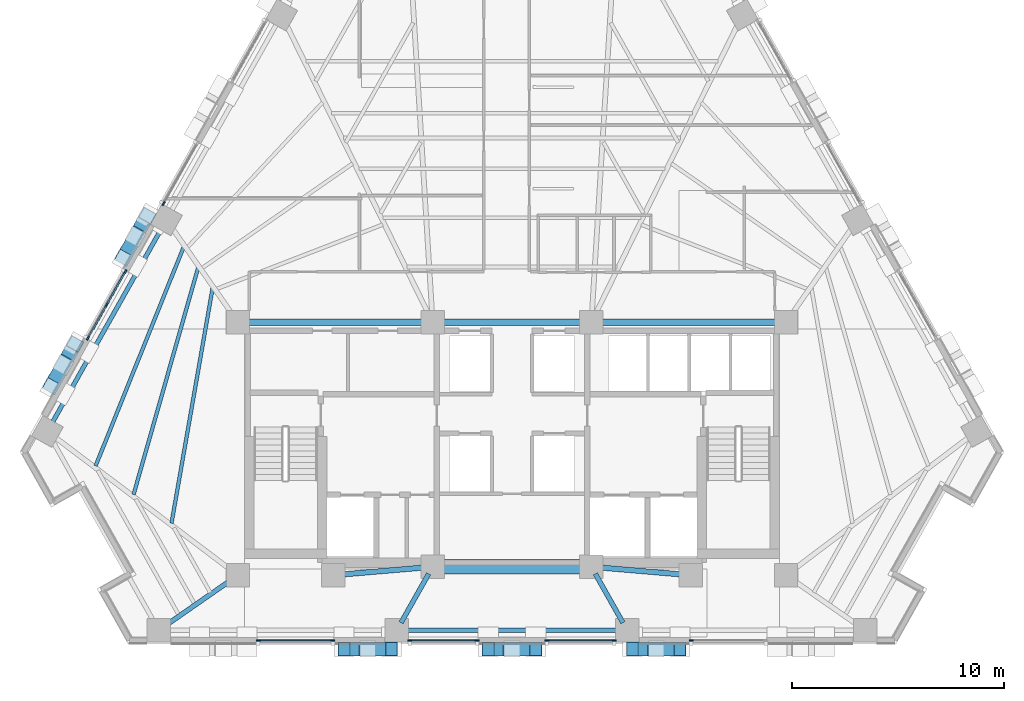
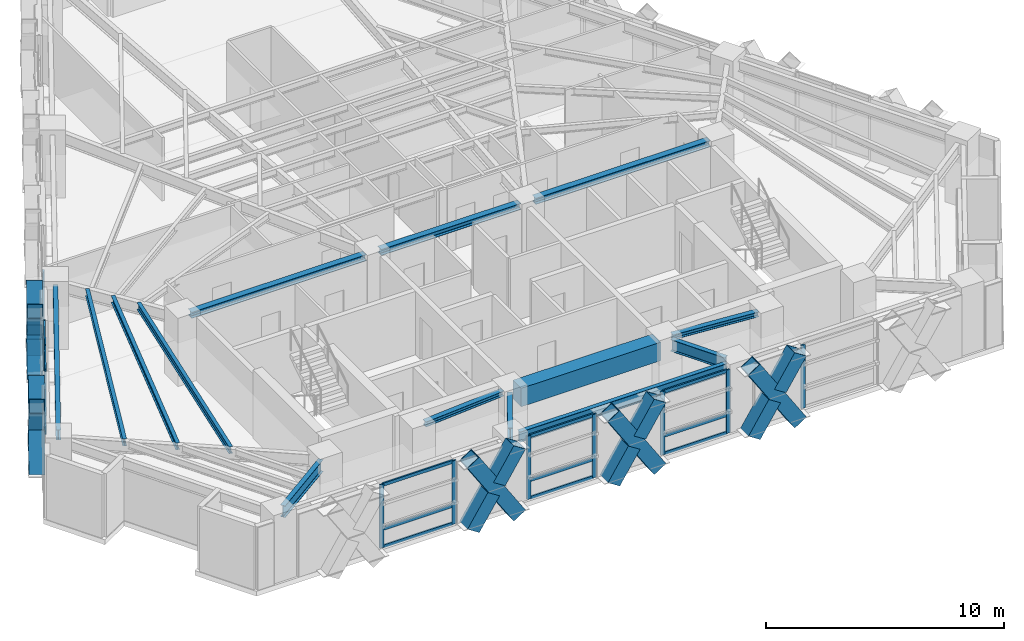
# One storey, part 2 of 14: 41 members, 14 beams, 6 elements without a shape of their own.
"""IFC4 building model written with IfcOpenShell, lengths in metres."""

from ifc_helpers import new_model, si_unit, direction, frame, origin, origin_2d, place, context, subcontext, project, spatial, rectangle, hollow_rectangle, i_section, extrude, material, material_profile, profile_set, type_object, element, aggregate, save


model = new_model("IFC4")

# Units and contexts
model_context = context("Model", 3, precision=1e-05, world=origin(), true_north=direction((0.0, 1.0)))
body_context = subcontext(model_context, "Body", "Model", "MODEL_VIEW")
ifc_project = project(units=[si_unit("LENGTHUNIT", "METRE"), si_unit("AREAUNIT", "SQUARE_METRE"), si_unit("VOLUMEUNIT", "CUBIC_METRE"), si_unit("PLANEANGLEUNIT", "RADIAN"), si_unit("MASSUNIT", "GRAM", prefix="KILO")], contexts=[model_context])

# Site, building, storey
site_placement = place(None, origin())
site = spatial("IfcSite", under=ifc_project, at=site_placement, CompositionType="ELEMENT")
building_placement = place(site_placement, origin())
building = spatial("IfcBuilding", under=site, at=building_placement, Name="Quenlor Broadcast Tower", CompositionType="ELEMENT")
storey_placement = place(building_placement, frame((0.0, 0.0, 102.0)))
storey = spatial("IfcBuildingStorey", under=building, at=storey_placement, Name="L27", CompositionType="ELEMENT", Elevation=102.0)

# Curtain wall, member
ifc_material_1 = material(Name="Architectural Terracotta and Low-E Glazing", Category="masonry")
curtain_wall_type = type_object("IfcCurtainWallType", Name="Unitised Terracotta Curtain Wall System Z2", PredefinedType="NOTDEFINED", material=ifc_material_1)
curtain_wall_1_placement = place(storey_placement, origin())
curtain_wall_1 = element("IfcCurtainWall", 1, at=curtain_wall_1_placement, inside=storey, type_object=curtain_wall_type, Name="L27 Curtain Wall CW2 (L27-SA-G1)", PredefinedType="NOTDEFINED")
ifc_material_2 = material(Name="Aluminium 6063-T6", Category="aluminium")
ifc_material_profile_1 = material_profile(ifc_material_2, rectangle(XDim=0.074951171875, YDim=0.199951171875, at=origin_2d()))
ifc_profile_set_1 = profile_set([ifc_material_profile_1], Name="Aluminium 6063-T6 MULL75x200")
member_type_1 = type_object("IfcMemberType", Name="CW2 Aluminium Mullion MULL_CW2", PredefinedType="MULLION", material=ifc_profile_set_1)
member_1_placement = place(storey_placement, frame((8.47119140625, -19.840087890625, 0.0), z_axis=(0.0, 0.0, 1.0), x_axis=(0.0, -1.0, 0.0)))
member_1 = element("IfcMember", 2, at=member_1_placement, type_object=member_type_1, Name="CW2 mullion 2", PredefinedType="MULLION", context=body_context, shape_type="SweptSolid", body=[
    extrude(rectangle(XDim=0.074951171875, YDim=0.199951171875, at=origin_2d()), origin(), (0.0, 0.0, 1.0), 3.25),
])
aggregate(curtain_wall_1, [member_1])

# Curtain wall, members
curtain_wall_2_placement = place(storey_placement, origin())
curtain_wall_2 = element("IfcCurtainWall", 3, at=curtain_wall_2_placement, inside=storey, type_object=curtain_wall_type, Name="L27 Curtain Wall CW2 (L27-SC-G1)", PredefinedType="NOTDEFINED")
member_2_placement = place(storey_placement, frame((-8.47119140625, -19.840087890625, 0.0), z_axis=(0.0, 0.0, 1.0), x_axis=(0.0, -1.0, 0.0)))
member_2 = element("IfcMember", 4, at=member_2_placement, type_object=member_type_1, Name="CW2 mullion 1", PredefinedType="MULLION", context=body_context, shape_type="SweptSolid", body=[
    extrude(rectangle(XDim=0.074951171875, YDim=0.199951171875, at=origin_2d()), origin(), (0.0, 0.0, 1.0), 3.25),
])
member_3_placement = place(storey_placement, frame((-11.981689453125, -19.840087890625, 0.0), z_axis=(0.0, 0.0, 1.0), x_axis=(0.0, -1.0, 0.0)))
member_3 = element("IfcMember", 5, at=member_3_placement, type_object=member_type_1, Name="CW2 mullion 2", PredefinedType="MULLION", context=body_context, shape_type="SweptSolid", body=[
    extrude(rectangle(XDim=0.074951171875, YDim=0.199951171875, at=origin_2d()), origin(), (0.0, 0.0, 1.0), 3.25),
])

curtain_wall_3_placement = place(storey_placement, origin())
curtain_wall_3 = element("IfcCurtainWall", 6, at=curtain_wall_3_placement, inside=storey, type_object=curtain_wall_type, Name="L27 Curtain Wall CW2 (L27-S-G1)", PredefinedType="NOTDEFINED")
member_4_placement = place(storey_placement, frame((4.835693359375, -19.840087890625, 0.0), z_axis=(0.0, 0.0, 1.0), x_axis=(0.0, -1.0, 0.0)))
member_4 = element("IfcMember", 7, at=member_4_placement, type_object=member_type_1, Name="CW2 mullion 1", PredefinedType="MULLION", context=body_context, shape_type="SweptSolid", body=[
    extrude(rectangle(XDim=0.074951171875, YDim=0.199951171875, at=origin_2d()), origin(), (0.0, 0.0, 1.0), 3.25),
])
member_5_placement = place(storey_placement, frame((1.653564453125, -19.840087890625, 0.0), z_axis=(0.0, 0.0, 1.0), x_axis=(0.0, -1.0, 0.0)))
member_5 = element("IfcMember", 8, at=member_5_placement, type_object=member_type_1, Name="CW2 mullion 2", PredefinedType="MULLION", context=body_context, shape_type="SweptSolid", body=[
    extrude(rectangle(XDim=0.074951171875, YDim=0.199951171875, at=origin_2d()), origin(), (0.0, 0.0, 1.0), 3.25),
])

curtain_wall_4_placement = place(storey_placement, origin())
curtain_wall_4 = element("IfcCurtainWall", 9, at=curtain_wall_4_placement, inside=storey, type_object=curtain_wall_type, Name="L27 Curtain Wall CW2 (L27-S-G2)", PredefinedType="NOTDEFINED")
member_6_placement = place(storey_placement, frame((-1.653564453125, -19.840087890625, 0.0), z_axis=(0.0, 0.0, 1.0), x_axis=(0.0, -1.0, 0.0)))
member_6 = element("IfcMember", 10, at=member_6_placement, type_object=member_type_1, Name="CW2 mullion 1", PredefinedType="MULLION", context=body_context, shape_type="SweptSolid", body=[
    extrude(rectangle(XDim=0.074951171875, YDim=0.199951171875, at=origin_2d()), origin(), (0.0, 0.0, 1.0), 3.25),
])
member_7_placement = place(storey_placement, frame((-4.835693359375, -19.840087890625, 0.0), z_axis=(0.0, 0.0, 1.0), x_axis=(0.0, -1.0, 0.0)))
member_7 = element("IfcMember", 11, at=member_7_placement, type_object=member_type_1, Name="CW2 mullion 2", PredefinedType="MULLION", context=body_context, shape_type="SweptSolid", body=[
    extrude(rectangle(XDim=0.074951171875, YDim=0.199951171875, at=origin_2d()), origin(), (0.0, 0.0, 1.0), 3.25),
])

curtain_wall_5_placement = place(storey_placement, origin())
curtain_wall_5 = element("IfcCurtainWall", 12, at=curtain_wall_5_placement, inside=storey, type_object=curtain_wall_type, Name="L27 Curtain Wall CW2 (L27-NWA-G1)", PredefinedType="NOTDEFINED")
member_8_placement = place(storey_placement, frame((-20.0400390625, -5.55322265625, 0.0), z_axis=(0.0, 0.0, 1.0), x_axis=(-0.871566839915, 0.490276701018, 0.0)))
member_8 = element("IfcMember", 13, at=member_8_placement, type_object=member_type_1, Name="CW2 mullion 1", PredefinedType="MULLION", context=body_context, shape_type="SweptSolid", body=[
    extrude(rectangle(XDim=0.074951171875, YDim=0.199951171875, at=origin_2d()), origin(), (0.0, 0.0, 1.0), 3.25),
])
member_9_placement = place(storey_placement, frame((-19.155029296875, -3.97998046875, 0.0), z_axis=(0.0, 0.0, 1.0), x_axis=(-0.871566839915, 0.490276701018, 0.0)))
member_9 = element("IfcMember", 14, at=member_9_placement, type_object=member_type_1, Name="CW2 mullion 2", PredefinedType="MULLION", context=body_context, shape_type="SweptSolid", body=[
    extrude(rectangle(XDim=0.074951171875, YDim=0.199951171875, at=origin_2d()), origin(), (0.0, 0.0, 1.0), 3.25),
])
member_10_placement = place(storey_placement, frame((-18.270263671875, -2.406982421875, 0.0), z_axis=(0.0, 0.0, 1.0), x_axis=(-0.871566839915, 0.490276701018, 0.0)))
member_10 = element("IfcMember", 15, at=member_10_placement, type_object=member_type_1, Name="CW2 mullion 3", PredefinedType="MULLION", context=body_context, shape_type="SweptSolid", body=[
    extrude(rectangle(XDim=0.074951171875, YDim=0.199951171875, at=origin_2d()), origin(), (0.0, 0.0, 1.0), 3.25),
])

# Curtain wall, member
curtain_wall_6_placement = place(storey_placement, origin())
curtain_wall_6 = element("IfcCurtainWall", 16, at=curtain_wall_6_placement, inside=storey, type_object=curtain_wall_type, Name="L27 Curtain Wall CW2 (L27-NW-G1)", PredefinedType="NOTDEFINED")
member_11_placement = place(storey_placement, frame((-16.459228515625, 0.812744140625, 0.0), z_axis=(0.0, 0.0, 1.0), x_axis=(-0.871575537123, 0.490261239636, 0.0)))
member_11 = element("IfcMember", 17, at=member_11_placement, type_object=member_type_1, Name="CW2 mullion 1", PredefinedType="MULLION", context=body_context, shape_type="SweptSolid", body=[
    extrude(rectangle(XDim=0.074951171875, YDim=0.199951171875, at=origin_2d()), origin(), (0.0, 0.0, 1.0), 3.25),
])
aggregate(curtain_wall_6, [member_11])

# Member
ifc_material_3 = material(Name="Aluminium 6063-T6", Category="aluminium")
ifc_material_profile_2 = material_profile(ifc_material_3, rectangle(XDim=0.074951171875, YDim=0.1650390625, at=origin_2d()))
ifc_profile_set_2 = profile_set([ifc_material_profile_2], Name="Aluminium 6063-T6 TRAN75x165")
member_type_2 = type_object("IfcMemberType", Name="CW2 Aluminium Transom TRAN_CW2", PredefinedType="USERDEFINED", material=ifc_profile_set_2)
member_12_placement = place(storey_placement, frame((-8.508544921875, -19.840087890625, 0.03759765625), z_axis=(-1.0, 0.0, 0.0), x_axis=(0.0, -1.0, 0.0)))
member_12 = element("IfcMember", 18, at=member_12_placement, type_object=member_type_2, Name="CW2 transom 1.1", ObjectType="TRANSOM", PredefinedType="USERDEFINED", context=body_context, shape_type="SweptSolid", body=[
    extrude(rectangle(XDim=0.074951171875, YDim=0.1650390625, at=origin_2d()), origin(), (0.0, 0.0, 1.0), 3.435546875),
])

member_13_placement = place(storey_placement, frame((-8.508544921875, -19.840087890625, 0.949951171875), z_axis=(-1.0, 0.0, 0.0), x_axis=(0.0, -1.0, 0.0)))
member_13 = element("IfcMember", 19, at=member_13_placement, type_object=member_type_2, Name="CW2 transom 1.2", ObjectType="TRANSOM", PredefinedType="USERDEFINED", context=body_context, shape_type="SweptSolid", body=[
    extrude(rectangle(XDim=0.074951171875, YDim=0.1650390625, at=origin_2d()), origin(), (0.0, 0.0, 1.0), 3.435546875),
])

member_14_placement = place(storey_placement, frame((-8.508544921875, -19.840087890625, 3.21240234375), z_axis=(-1.0, 0.0, 0.0), x_axis=(0.0, -1.0, 0.0)))
member_14 = element("IfcMember", 20, at=member_14_placement, type_object=member_type_2, Name="CW2 transom 1.3", ObjectType="TRANSOM", PredefinedType="USERDEFINED", context=body_context, shape_type="SweptSolid", body=[
    extrude(rectangle(XDim=0.074951171875, YDim=0.1650390625, at=origin_2d()), origin(), (0.0, 0.0, 1.0), 3.435546875),
])

aggregate(curtain_wall_2, [member_2, member_3, member_12, member_13, member_14])

member_15_placement = place(storey_placement, frame((4.798095703125, -19.840087890625, 0.03759765625), z_axis=(-1.0, 0.0, 0.0), x_axis=(0.0, -1.0, 0.0)))
member_15 = element("IfcMember", 21, at=member_15_placement, type_object=member_type_2, Name="CW2 transom 1.1", ObjectType="TRANSOM", PredefinedType="USERDEFINED", context=body_context, shape_type="SweptSolid", body=[
    extrude(rectangle(XDim=0.074951171875, YDim=0.1650390625, at=origin_2d()), origin(), (0.0, 0.0, 1.0), 3.107177734375),
])

member_16_placement = place(storey_placement, frame((4.798095703125, -19.840087890625, 0.949951171875), z_axis=(-1.0, 0.0, 0.0), x_axis=(0.0, -1.0, 0.0)))
member_16 = element("IfcMember", 22, at=member_16_placement, type_object=member_type_2, Name="CW2 transom 1.2", ObjectType="TRANSOM", PredefinedType="USERDEFINED", context=body_context, shape_type="SweptSolid", body=[
    extrude(rectangle(XDim=0.074951171875, YDim=0.1650390625, at=origin_2d()), origin(), (0.0, 0.0, 1.0), 3.107177734375),
])

member_17_placement = place(storey_placement, frame((4.798095703125, -19.840087890625, 3.21240234375), z_axis=(-1.0, 0.0, 0.0), x_axis=(0.0, -1.0, 0.0)))
member_17 = element("IfcMember", 23, at=member_17_placement, type_object=member_type_2, Name="CW2 transom 1.3", ObjectType="TRANSOM", PredefinedType="USERDEFINED", context=body_context, shape_type="SweptSolid", body=[
    extrude(rectangle(XDim=0.074951171875, YDim=0.1650390625, at=origin_2d()), origin(), (0.0, 0.0, 1.0), 3.107177734375),
])

aggregate(curtain_wall_3, [member_4, member_5, member_15, member_16, member_17])

member_18_placement = place(storey_placement, frame((-1.69091796875, -19.840087890625, 0.03759765625), z_axis=(-1.0, 0.0, 0.0), x_axis=(0.0, -1.0, 0.0)))
member_18 = element("IfcMember", 24, at=member_18_placement, type_object=member_type_2, Name="CW2 transom 1.1", ObjectType="TRANSOM", PredefinedType="USERDEFINED", context=body_context, shape_type="SweptSolid", body=[
    extrude(rectangle(XDim=0.074951171875, YDim=0.1650390625, at=origin_2d()), origin(), (0.0, 0.0, 1.0), 3.107177734375),
])

member_19_placement = place(storey_placement, frame((-1.69091796875, -19.840087890625, 0.949951171875), z_axis=(-1.0, 0.0, 0.0), x_axis=(0.0, -1.0, 0.0)))
member_19 = element("IfcMember", 25, at=member_19_placement, type_object=member_type_2, Name="CW2 transom 1.2", ObjectType="TRANSOM", PredefinedType="USERDEFINED", context=body_context, shape_type="SweptSolid", body=[
    extrude(rectangle(XDim=0.074951171875, YDim=0.1650390625, at=origin_2d()), origin(), (0.0, 0.0, 1.0), 3.107177734375),
])

member_20_placement = place(storey_placement, frame((-1.69091796875, -19.840087890625, 3.21240234375), z_axis=(-1.0, 0.0, 0.0), x_axis=(0.0, -1.0, 0.0)))
member_20 = element("IfcMember", 26, at=member_20_placement, type_object=member_type_2, Name="CW2 transom 1.3", ObjectType="TRANSOM", PredefinedType="USERDEFINED", context=body_context, shape_type="SweptSolid", body=[
    extrude(rectangle(XDim=0.074951171875, YDim=0.1650390625, at=origin_2d()), origin(), (0.0, 0.0, 1.0), 3.107177734375),
])

aggregate(curtain_wall_4, [member_6, member_7, member_18, member_19, member_20])

member_21_placement = place(storey_placement, frame((-20.021728515625, -5.5205078125, 0.03759765625), z_axis=(0.490261239633, 0.871575537125, 0.0), x_axis=(-0.871575537125, 0.490261239633, 0.0)))
member_21 = element("IfcMember", 27, at=member_21_placement, type_object=member_type_2, Name="CW2 transom 1.1", ObjectType="TRANSOM", PredefinedType="USERDEFINED", context=body_context, shape_type="SweptSolid", body=[
    extrude(rectangle(XDim=0.074951171875, YDim=0.1650390625, at=origin_2d()), origin(), (0.0, 0.0, 1.0), 1.72998046875),
])

member_22_placement = place(storey_placement, frame((-20.021728515625, -5.5205078125, 0.949951171875), z_axis=(0.490261239633, 0.871575537125, 0.0), x_axis=(-0.871575537125, 0.490261239633, 0.0)))
member_22 = element("IfcMember", 28, at=member_22_placement, type_object=member_type_2, Name="CW2 transom 1.2", ObjectType="TRANSOM", PredefinedType="USERDEFINED", context=body_context, shape_type="SweptSolid", body=[
    extrude(rectangle(XDim=0.074951171875, YDim=0.1650390625, at=origin_2d()), origin(), (0.0, 0.0, 1.0), 1.72998046875),
])

member_23_placement = place(storey_placement, frame((-20.021728515625, -5.5205078125, 3.21240234375), z_axis=(0.490261239633, 0.871575537125, 0.0), x_axis=(-0.871575537125, 0.490261239633, 0.0)))
member_23 = element("IfcMember", 29, at=member_23_placement, type_object=member_type_2, Name="CW2 transom 1.3", ObjectType="TRANSOM", PredefinedType="USERDEFINED", context=body_context, shape_type="SweptSolid", body=[
    extrude(rectangle(XDim=0.074951171875, YDim=0.1650390625, at=origin_2d()), origin(), (0.0, 0.0, 1.0), 1.72998046875),
])

member_24_placement = place(storey_placement, frame((-19.13671875, -3.947265625, 0.03759765625), z_axis=(0.490261239633, 0.871575537125, 0.0), x_axis=(-0.871575537125, 0.490261239633, 0.0)))
member_24 = element("IfcMember", 30, at=member_24_placement, type_object=member_type_2, Name="CW2 transom 2.1", ObjectType="TRANSOM", PredefinedType="USERDEFINED", context=body_context, shape_type="SweptSolid", body=[
    extrude(rectangle(XDim=0.074951171875, YDim=0.1650390625, at=origin_2d()), origin(), (0.0, 0.0, 1.0), 1.72998046875),
])

member_25_placement = place(storey_placement, frame((-19.13671875, -3.947265625, 0.949951171875), z_axis=(0.490261239633, 0.871575537125, 0.0), x_axis=(-0.871575537125, 0.490261239633, 0.0)))
member_25 = element("IfcMember", 31, at=member_25_placement, type_object=member_type_2, Name="CW2 transom 2.2", ObjectType="TRANSOM", PredefinedType="USERDEFINED", context=body_context, shape_type="SweptSolid", body=[
    extrude(rectangle(XDim=0.074951171875, YDim=0.1650390625, at=origin_2d()), origin(), (0.0, 0.0, 1.0), 1.72998046875),
])

member_26_placement = place(storey_placement, frame((-19.13671875, -3.947265625, 3.21240234375), z_axis=(0.490261239633, 0.871575537125, 0.0), x_axis=(-0.871575537125, 0.490261239633, 0.0)))
member_26 = element("IfcMember", 32, at=member_26_placement, type_object=member_type_2, Name="CW2 transom 2.3", ObjectType="TRANSOM", PredefinedType="USERDEFINED", context=body_context, shape_type="SweptSolid", body=[
    extrude(rectangle(XDim=0.074951171875, YDim=0.1650390625, at=origin_2d()), origin(), (0.0, 0.0, 1.0), 1.72998046875),
])

aggregate(curtain_wall_5, [member_8, member_9, member_10, member_21, member_22, member_23, member_24, member_25, member_26])

# Beams
ifc_material_4 = material(Name="Concrete C50/60", Category="concrete")
ifc_material_profile_3 = material_profile(ifc_material_4, rectangle(XDim=0.699951171875, YDim=0.949951171875, at=origin_2d()))
ifc_profile_set_3 = profile_set([ifc_material_profile_3], Name="Concrete C50/60 RCB700x950")
beam_type_1 = type_object("IfcBeamType", Name="Core Coupling Beam Concrete C50/60 700x950", PredefinedType="BEAM", material=ifc_profile_set_3)
beam_1_placement = place(storey_placement, frame((-3.389892578125, -16.35009765625, 2.77490234375), z_axis=(1.0, 0.0, 0.0), x_axis=(0.0, 1.0, 0.0)))
element("IfcBeam", 33, at=beam_1_placement, inside=storey, type_object=beam_type_1, Name="L27 Core Coupling Beam 6", PredefinedType="BEAM", context=body_context, shape_type="SweptSolid", body=[
    extrude(rectangle(XDim=0.699951171875, YDim=0.949951171875, at=origin_2d()), origin(), (0.0, 0.0, 1.0), 6.77978515625),
])
ifc_material_5 = material(Name="Steel S355", Category="steel")
ifc_material_profile_4 = material_profile(ifc_material_5, i_section(OverallWidth=0.304931640625, OverallDepth=0.30810546875, WebThickness=0.010009765625, FlangeThickness=0.015380859375, FilletRadius=0.0166015625, at=origin_2d()))
ifc_profile_set_4 = profile_set([ifc_material_profile_4], Name="Steel S355 310UC96.8")
beam_type_2 = type_object("IfcBeamType", Name="Core Header Beam Steel S355 310UC96.8", PredefinedType="BEAM", material=ifc_profile_set_4)
beam_2_placement = place(storey_placement, frame((-3.389892578125, -4.800048828125, 3.095947265625), z_axis=(1.0, 0.0, 0.0), x_axis=(0.0, 1.0, 0.0)))
element("IfcBeam", 34, at=beam_2_placement, inside=storey, type_object=beam_type_2, Name="L27 Core Header Beam 2", PredefinedType="BEAM", context=body_context, shape_type="SweptSolid", body=[
    extrude(i_section(OverallWidth=0.304931640625, OverallDepth=0.30810546875, WebThickness=0.010009765625, FlangeThickness=0.015380859375, FilletRadius=0.0166015625, at=origin_2d()), origin(), (0.0, 0.0, 1.0), 6.77978515625),
])
ifc_material_6 = material(Name="Steel S355", Category="steel")
ifc_material_profile_5 = material_profile(ifc_material_6, i_section(OverallWidth=0.25390625, OverallDepth=0.25390625, WebThickness=0.008544921875, FlangeThickness=0.01416015625, FilletRadius=0.013916015625, at=origin_2d()))
ifc_profile_set_5 = profile_set([ifc_material_profile_5], Name="Steel S355 250UC72.9")
beam_type_3 = type_object("IfcBeamType", Name="Core Opening Lintel Beam Steel S355 250UC72.9", PredefinedType="LINTEL", material=ifc_profile_set_5)
for number, where, z_axis, x_axis, name in (
    (35, (-8.09130859375, -16.719482421875, 3.123046875), (0.996399763903, 0.084779186679, 0.0), (-0.084779186679, 0.996399763903, 0.0), "L27 Core Opening Lintel Beam 4"),
    (36, (4.108642578125, -16.380615234375, 3.123046875), (0.996399763903, -0.084779186679, 0.0), (0.084779186679, 0.996399763903, 0.0), "L27 Core Opening Lintel Beam 5"),
):
    element("IfcBeam", number, at=place(storey_placement, frame(where, z_axis=z_axis, x_axis=x_axis)), inside=storey, type_object=beam_type_3, Name=name, PredefinedType="LINTEL", context=body_context, shape_type="SweptSolid", body=[
        extrude(i_section(OverallWidth=0.25390625, OverallDepth=0.25390625, WebThickness=0.008544921875, FlangeThickness=0.01416015625, FilletRadius=0.013916015625, at=origin_2d()), origin(), (0.0, 0.0, 1.0), 3.9970703125),
    ])
ifc_material_7 = material(Name="Steel S355", Category="steel")
ifc_material_profile_6 = material_profile(ifc_material_7, i_section(OverallWidth=0.306884765625, OverallDepth=0.314697265625, WebThickness=0.011962890625, FlangeThickness=0.018798828125, FilletRadius=0.0166015625, at=origin_2d()))
ifc_profile_set_6 = profile_set([ifc_material_profile_6], Name="Steel S355 310UC118")
beam_type_4 = type_object("IfcBeamType", Name="Core Tie Beam Steel S355 310UC118", PredefinedType="BEAM", material=ifc_profile_set_6)
for number, where, z_axis, x_axis, name in (
    (37, (-12.590087890625, -4.800048828125, 3.0927734375), (1.0, 0.0, 0.0), (0.0, 1.0, 0.0), "L27 Core Tie Beam 1"),
    (38, (4.110107421875, -4.800048828125, 3.0927734375), (1.0, 0.0, 0.0), (0.0, 1.0, 0.0), "L27 Core Tie Beam 3"),
):
    element("IfcBeam", number, at=place(storey_placement, frame(where, z_axis=z_axis, x_axis=x_axis)), inside=storey, type_object=beam_type_4, Name=name, PredefinedType="BEAM", context=body_context, shape_type="SweptSolid", body=[
        extrude(i_section(OverallWidth=0.306884765625, OverallDepth=0.314697265625, WebThickness=0.011962890625, FlangeThickness=0.018798828125, FilletRadius=0.0166015625, at=origin_2d()), origin(), (0.0, 0.0, 1.0), 8.47998046875),
    ])

# Members
ifc_material_8 = material(Name="Steel S355", Category="steel")
ifc_material_profile_7 = material_profile(ifc_material_8, hollow_rectangle(XDim=0.679931640625, YDim=0.679931640625, WallThickness=0.030029296875, at=origin_2d()))
ifc_profile_set_7 = profile_set([ifc_material_profile_7], Name="Steel S355 RHS680x680x30")
member_type_3 = type_object("IfcMemberType", Name="Perimeter Diagonal Lattice Brace Z2 Steel S355 RHS680x30", PredefinedType="BRACE", material=ifc_profile_set_7)
member_27_placement = place(storey_placement, frame((7.940185546875, -20.235107421875, -0.1201171875), z_axis=(-0.539926440573, 0.0, 0.841712206618), x_axis=(0.0, -1.0, 0.0)))
element("IfcMember", 39, at=member_27_placement, inside=storey, type_object=member_type_3, Name="L27 Perimeter Diamond Lattice S-C2XA", PredefinedType="BRACE", context=body_context, shape_type="SweptSolid", body=[
    extrude(hollow_rectangle(XDim=0.679931640625, YDim=0.679931640625, WallThickness=0.030029296875, at=origin_2d()), origin(), (0.0, 0.0, 1.0), 4.158203125),
])
member_28_placement = place(storey_placement, frame((5.695068359375, -20.235107421875, -0.1201171875), z_axis=(0.539860138754, 0.0, 0.841754733034), x_axis=(0.0, 1.0, 0.0)))
element("IfcMember", 40, at=member_28_placement, inside=storey, type_object=member_type_3, Name="L27 Perimeter Diamond Lattice S-C2XB1", PredefinedType="BRACE", context=body_context, shape_type="SweptSolid", body=[
    extrude(hollow_rectangle(XDim=0.679931640625, YDim=0.679931640625, WallThickness=0.030029296875, at=origin_2d()), origin(), (0.0, 0.0, 1.0), 1.829345703125),
])
member_29_placement = place(storey_placement, frame((6.95263671875, -20.235107421875, 1.84033203125), z_axis=(0.539920793993, 0.0, 0.841715828658), x_axis=(0.0, 1.0, 0.0)))
element("IfcMember", 41, at=member_29_placement, inside=storey, type_object=member_type_3, Name="L27 Perimeter Diamond Lattice S-C2XB2", PredefinedType="BRACE", context=body_context, shape_type="SweptSolid", body=[
    extrude(hollow_rectangle(XDim=0.679931640625, YDim=0.679931640625, WallThickness=0.030029296875, at=origin_2d()), origin(), (0.0, 0.0, 1.0), 1.8291015625),
])
member_30_placement = place(storey_placement, frame((1.12255859375, -20.235107421875, -0.1201171875), z_axis=(-0.539926440573, 0.0, 0.841712206618), x_axis=(0.0, -1.0, 0.0)))
element("IfcMember", 42, at=member_30_placement, inside=storey, type_object=member_type_3, Name="L27 Perimeter Diamond Lattice S-C3XA", PredefinedType="BRACE", context=body_context, shape_type="SweptSolid", body=[
    extrude(hollow_rectangle(XDim=0.679931640625, YDim=0.679931640625, WallThickness=0.030029296875, at=origin_2d()), origin(), (0.0, 0.0, 1.0), 4.158203125),
])
member_31_placement = place(storey_placement, frame((-1.12255859375, -20.235107421875, -0.1201171875), z_axis=(0.539860138754, 0.0, 0.841754733034), x_axis=(0.0, 1.0, 0.0)))
element("IfcMember", 43, at=member_31_placement, inside=storey, type_object=member_type_3, Name="L27 Perimeter Diamond Lattice S-C3XB1", PredefinedType="BRACE", context=body_context, shape_type="SweptSolid", body=[
    extrude(hollow_rectangle(XDim=0.679931640625, YDim=0.679931640625, WallThickness=0.030029296875, at=origin_2d()), origin(), (0.0, 0.0, 1.0), 1.829345703125),
])
member_32_placement = place(storey_placement, frame((0.135009765625, -20.235107421875, 1.84033203125), z_axis=(0.539920793993, 0.0, 0.841715828658), x_axis=(0.0, 1.0, 0.0)))
element("IfcMember", 44, at=member_32_placement, inside=storey, type_object=member_type_3, Name="L27 Perimeter Diamond Lattice S-C3XB2", PredefinedType="BRACE", context=body_context, shape_type="SweptSolid", body=[
    extrude(hollow_rectangle(XDim=0.679931640625, YDim=0.679931640625, WallThickness=0.030029296875, at=origin_2d()), origin(), (0.0, 0.0, 1.0), 1.8291015625),
])
member_33_placement = place(storey_placement, frame((-5.695068359375, -20.235107421875, -0.1201171875), z_axis=(-0.539926440573, 0.0, 0.841712206618), x_axis=(0.0, -1.0, 0.0)))
element("IfcMember", 45, at=member_33_placement, inside=storey, type_object=member_type_3, Name="L27 Perimeter Diamond Lattice S-C4XA", PredefinedType="BRACE", context=body_context, shape_type="SweptSolid", body=[
    extrude(hollow_rectangle(XDim=0.679931640625, YDim=0.679931640625, WallThickness=0.030029296875, at=origin_2d()), origin(), (0.0, 0.0, 1.0), 4.158203125),
])
member_34_placement = place(storey_placement, frame((-7.940185546875, -20.235107421875, -0.1201171875), z_axis=(0.539860138754, 0.0, 0.841754733034), x_axis=(0.0, 1.0, 0.0)))
element("IfcMember", 46, at=member_34_placement, inside=storey, type_object=member_type_3, Name="L27 Perimeter Diamond Lattice S-C4XB1", PredefinedType="BRACE", context=body_context, shape_type="SweptSolid", body=[
    extrude(hollow_rectangle(XDim=0.679931640625, YDim=0.679931640625, WallThickness=0.030029296875, at=origin_2d()), origin(), (0.0, 0.0, 1.0), 1.829345703125),
])
member_35_placement = place(storey_placement, frame((-6.6826171875, -20.235107421875, 1.84033203125), z_axis=(0.539920793993, 0.0, 0.841715828658), x_axis=(0.0, 1.0, 0.0)))
element("IfcMember", 47, at=member_35_placement, inside=storey, type_object=member_type_3, Name="L27 Perimeter Diamond Lattice S-C4XB2", PredefinedType="BRACE", context=body_context, shape_type="SweptSolid", body=[
    extrude(hollow_rectangle(XDim=0.679931640625, YDim=0.679931640625, WallThickness=0.030029296875, at=origin_2d()), origin(), (0.0, 0.0, 1.0), 1.8291015625),
])
member_36_placement = place(storey_placement, frame((-21.76806640625, -7.8193359375, -0.1201171875), z_axis=(0.268696511206, 0.477585438485, 0.836489290913), x_axis=(-0.871532878923, 0.490337068716, 0.0)))
element("IfcMember", 48, at=member_36_placement, inside=storey, type_object=member_type_3, Name="L27 Perimeter Diamond Lattice NW-C1XA", PredefinedType="BRACE", context=body_context, shape_type="SweptSolid", body=[
    extrude(hollow_rectangle(XDim=0.679931640625, YDim=0.679931640625, WallThickness=0.030029296875, at=origin_2d()), origin(), (0.0, 0.0, 1.0), 4.18408203125),
])
member_37_placement = place(storey_placement, frame((-20.643798828125, -5.821044921875, -0.1201171875), z_axis=(-0.268766711364, -0.477498254953, 0.836516509926), x_axis=(0.871439858367, -0.49050236824, 0.0)))
element("IfcMember", 49, at=member_37_placement, inside=storey, type_object=member_type_3, Name="L27 Perimeter Diamond Lattice NW-C1XB1", PredefinedType="BRACE", context=body_context, shape_type="SweptSolid", body=[
    extrude(hollow_rectangle(XDim=0.679931640625, YDim=0.679931640625, WallThickness=0.030029296875, at=origin_2d()), origin(), (0.0, 0.0, 1.0), 1.84228515625),
])
member_38_placement = place(storey_placement, frame((-21.273193359375, -6.939453125, 1.839111328125), z_axis=(-0.268656529223, -0.477670513725, 0.836453554971), x_axis=(0.871601370751, -0.490215310353, 0.0)))
element("IfcMember", 50, at=member_38_placement, inside=storey, type_object=member_type_3, Name="L27 Perimeter Diamond Lattice NW-C1XB2", PredefinedType="BRACE", context=body_context, shape_type="SweptSolid", body=[
    extrude(hollow_rectangle(XDim=0.679931640625, YDim=0.679931640625, WallThickness=0.030029296875, at=origin_2d()), origin(), (0.0, 0.0, 1.0), 1.842041015625),
])
member_39_placement = place(storey_placement, frame((-18.35498046875, -1.751708984375, -0.1201171875), z_axis=(0.268696511206, 0.477585438485, 0.836489290913), x_axis=(-0.871532878923, 0.490337068716, 0.0)))
element("IfcMember", 51, at=member_39_placement, inside=storey, type_object=member_type_3, Name="L27 Perimeter Diamond Lattice NW-C2XA", PredefinedType="BRACE", context=body_context, shape_type="SweptSolid", body=[
    extrude(hollow_rectangle(XDim=0.679931640625, YDim=0.679931640625, WallThickness=0.030029296875, at=origin_2d()), origin(), (0.0, 0.0, 1.0), 4.18408203125),
])
for number, where, z_axis, x_axis, name in (
    (52, (-17.230712890625, 0.24658203125, -0.1201171875), (-0.268643750061, -0.477515259729, 0.836546300141), (0.871543234879, -0.490318661421, 0.0), "L27 Perimeter Diamond Lattice NW-C2XB1"),
    (53, (-17.860107421875, -0.871826171875, 1.839111328125), (-0.268656529223, -0.477670513725, 0.836453554971), (0.871601370751, -0.490215310353, 0.0), "L27 Perimeter Diamond Lattice NW-C2XB2"),
):
    element("IfcMember", number, at=place(storey_placement, frame(where, z_axis=z_axis, x_axis=x_axis)), inside=storey, type_object=member_type_3, Name=name, PredefinedType="BRACE", context=body_context, shape_type="SweptSolid", body=[
        extrude(hollow_rectangle(XDim=0.679931640625, YDim=0.679931640625, WallThickness=0.030029296875, at=origin_2d()), origin(), (0.0, 0.0, 1.0), 1.842041015625),
    ])

# Beams
ifc_material_9 = material(Name="Steel S355", Category="steel")
ifc_material_profile_8 = material_profile(ifc_material_9, i_section(OverallWidth=0.208984375, OverallDepth=0.5283203125, WebThickness=0.009521484375, FlangeThickness=0.01318359375, FilletRadius=0.013916015625, at=origin_2d()))
ifc_profile_set_8 = profile_set([ifc_material_profile_8], Name="Steel S355 530UB82.0")
beam_type_5 = type_object("IfcBeamType", Name="Perimeter Spandrel Beam Z2 Steel S355 530UB82.0", PredefinedType="SPANDREL", material=ifc_profile_set_8)
beam_3_placement = place(storey_placement, frame((-5.033203125, -19.35009765625, 2.98583984375), z_axis=(1.0, 0.0, 0.0), x_axis=(0.0, 1.0, 0.0)))
element("IfcBeam", 54, at=beam_3_placement, inside=storey, type_object=beam_type_5, Name="L27 Spandrel Beam S2-S3", PredefinedType="SPANDREL", context=body_context, shape_type="SweptSolid", body=[
    extrude(i_section(OverallWidth=0.208984375, OverallDepth=0.5283203125, WebThickness=0.009521484375, FlangeThickness=0.01318359375, FilletRadius=0.013916015625, at=origin_2d()), origin(), (0.0, 0.0, 1.0), 10.06640625),
])
beam_4_placement = place(storey_placement, frame((-16.531005859375, -0.314453125, 2.98583984375), z_axis=(-0.490263415828, -0.871574313011, 0.0), x_axis=(0.871574313011, -0.490263415828, 0.0)))
element("IfcBeam", 55, at=beam_4_placement, inside=storey, type_object=beam_type_5, Name="L27 Spandrel Beam NW3-NW4", PredefinedType="SPANDREL", context=body_context, shape_type="SweptSolid", body=[
    extrude(i_section(OverallWidth=0.208984375, OverallDepth=0.5283203125, WebThickness=0.009521484375, FlangeThickness=0.01318359375, FilletRadius=0.013916015625, at=origin_2d()), origin(), (0.0, 0.0, 1.0), 10.65283203125),
])
ifc_material_10 = material(Name="Steel S355", Category="steel")
ifc_material_profile_9 = material_profile(ifc_material_10, i_section(OverallWidth=0.172119140625, OverallDepth=0.358642578125, WebThickness=0.008056640625, FlangeThickness=0.012939453125, FilletRadius=0.011474609375, at=origin_2d()))
ifc_profile_set_9 = profile_set([ifc_material_profile_9], Name="Steel S355 360UB56.7")
beam_type_6 = type_object("IfcBeamType", Name="Tower Composite Joist Z2-Z3 Steel S355 360UB56.7", PredefinedType="JOIST", material=ifc_profile_set_9)
beam_5_placement = place(storey_placement, frame((-16.087890625, -14.29345703125, 3.07080078125), z_axis=(0.172120396521, 0.985075920476, 0.0), x_axis=(-0.985075920476, 0.172120396521, 0.0)))
element("IfcBeam", 56, at=beam_5_placement, inside=storey, type_object=beam_type_6, Name="L27 Secondary Composite Joist 13", PredefinedType="JOIST", context=body_context, shape_type="SweptSolid", body=[
    extrude(i_section(OverallWidth=0.172119140625, OverallDepth=0.358642578125, WebThickness=0.008056640625, FlangeThickness=0.012939453125, FilletRadius=0.011474609375, at=origin_2d()), origin(), (0.0, 0.0, 1.0), 11.27783203125),
])
beam_6_placement = place(storey_placement, frame((-17.880615234375, -12.9365234375, 3.07080078125), z_axis=(0.273563993601, 0.96185380459, 0.0), x_axis=(-0.96185380459, 0.273563993601, 0.0)))
element("IfcBeam", 57, at=beam_6_placement, inside=storey, type_object=beam_type_6, Name="L27 Secondary Composite Joist 14", PredefinedType="JOIST", context=body_context, shape_type="SweptSolid", body=[
    extrude(i_section(OverallWidth=0.172119140625, OverallDepth=0.358642578125, WebThickness=0.008056640625, FlangeThickness=0.012939453125, FilletRadius=0.011474609375, at=origin_2d()), origin(), (0.0, 0.0, 1.0), 11.1484375),
])
beam_7_placement = place(storey_placement, frame((-19.673583984375, -11.580810546875, 3.07080078125), z_axis=(0.373180395983, 0.92775880058, 0.0), x_axis=(-0.92775880058, 0.373180395983, 0.0)))
element("IfcBeam", 58, at=beam_7_placement, inside=storey, type_object=beam_type_6, Name="L27 Secondary Composite Joist 15", PredefinedType="JOIST", context=body_context, shape_type="SweptSolid", body=[
    extrude(i_section(OverallWidth=0.172119140625, OverallDepth=0.358642578125, WebThickness=0.008056640625, FlangeThickness=0.012939453125, FilletRadius=0.011474609375, at=origin_2d()), origin(), (0.0, 0.0, 1.0), 11.143798828125),
])
ifc_material_11 = material(Name="Steel S355", Category="steel")
ifc_material_profile_10 = material_profile(ifc_material_11, i_section(OverallWidth=0.22802734375, OverallDepth=0.60205078125, WebThickness=0.010498046875, FlangeThickness=0.014892578125, FilletRadius=0.013916015625, at=origin_2d()))
ifc_profile_set_10 = profile_set([ifc_material_profile_10], Name="Steel S355 610UB101")
beam_type_7 = type_object("IfcBeamType", Name="Tower Primary Floor Beam Z2 Steel S355 610UB101", PredefinedType="BEAM", material=ifc_profile_set_10)
beam_8_placement = place(storey_placement, frame((-16.355712890625, -19.1162109375, 2.948974609375), z_axis=(0.821227395059, 0.570601056436, 0.0), x_axis=(-0.570601056436, 0.821227395059, 0.0)))
element("IfcBeam", 59, at=beam_8_placement, inside=storey, type_object=beam_type_7, Name="L27 Primary Radial Beam S1", PredefinedType="BEAM", context=body_context, shape_type="SweptSolid", body=[
    extrude(i_section(OverallWidth=0.22802734375, OverallDepth=0.60205078125, WebThickness=0.010498046875, FlangeThickness=0.014892578125, FilletRadius=0.013916015625, at=origin_2d()), origin(), (0.0, 0.0, 1.0), 3.766845703125),
])
for number, where, z_axis, x_axis, name in (
    (60, (-5.24169921875, -18.992919921875, 2.948974609375), (0.491526879548, 0.870862403989, 0.0), (-0.870862403989, 0.491526879548, 0.0), "L27 Primary Radial Beam S2"),
    (61, (5.24169921875, -18.992919921875, 2.948974609375), (-0.491526879548, 0.870862403989, 0.0), (-0.870862403989, -0.491526879548, 0.0), "L27 Primary Radial Beam S3"),
):
    element("IfcBeam", number, at=place(storey_placement, frame(where, z_axis=z_axis, x_axis=x_axis)), inside=storey, type_object=beam_type_7, Name=name, PredefinedType="BEAM", context=body_context, shape_type="SweptSolid", body=[
        extrude(i_section(OverallWidth=0.22802734375, OverallDepth=0.60205078125, WebThickness=0.010498046875, FlangeThickness=0.014892578125, FilletRadius=0.013916015625, at=origin_2d()), origin(), (0.0, 0.0, 1.0), 2.65478515625),
    ])

save(model, "model.ifc")
